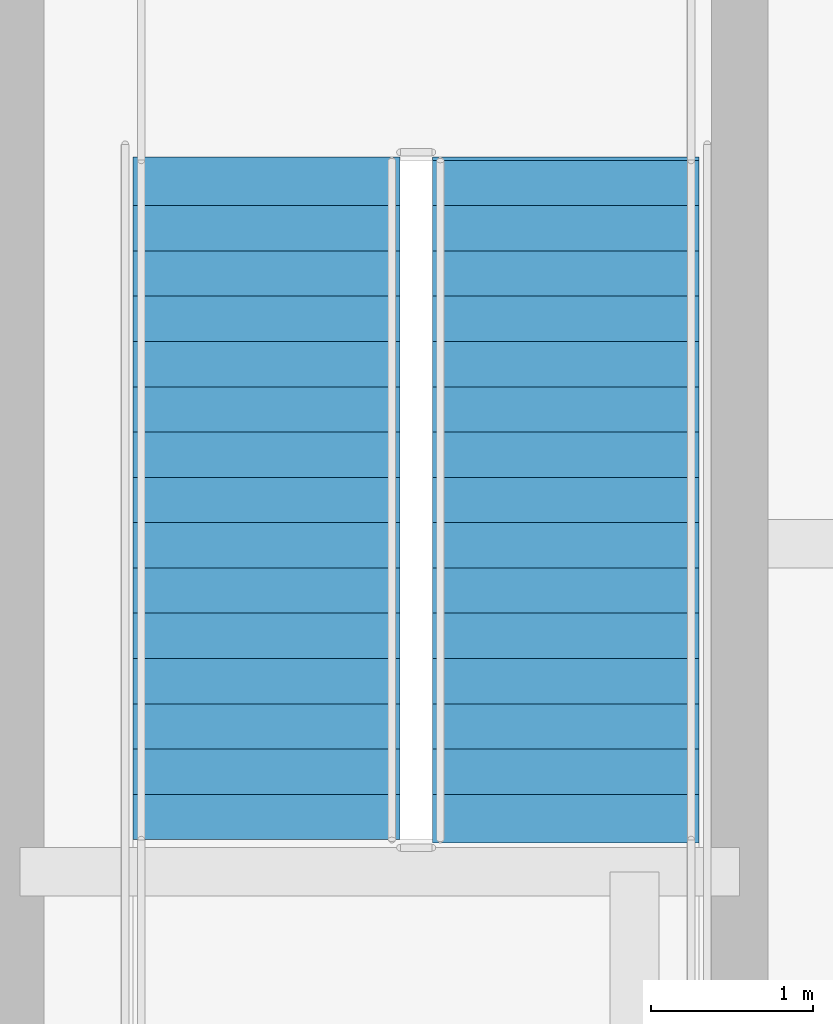
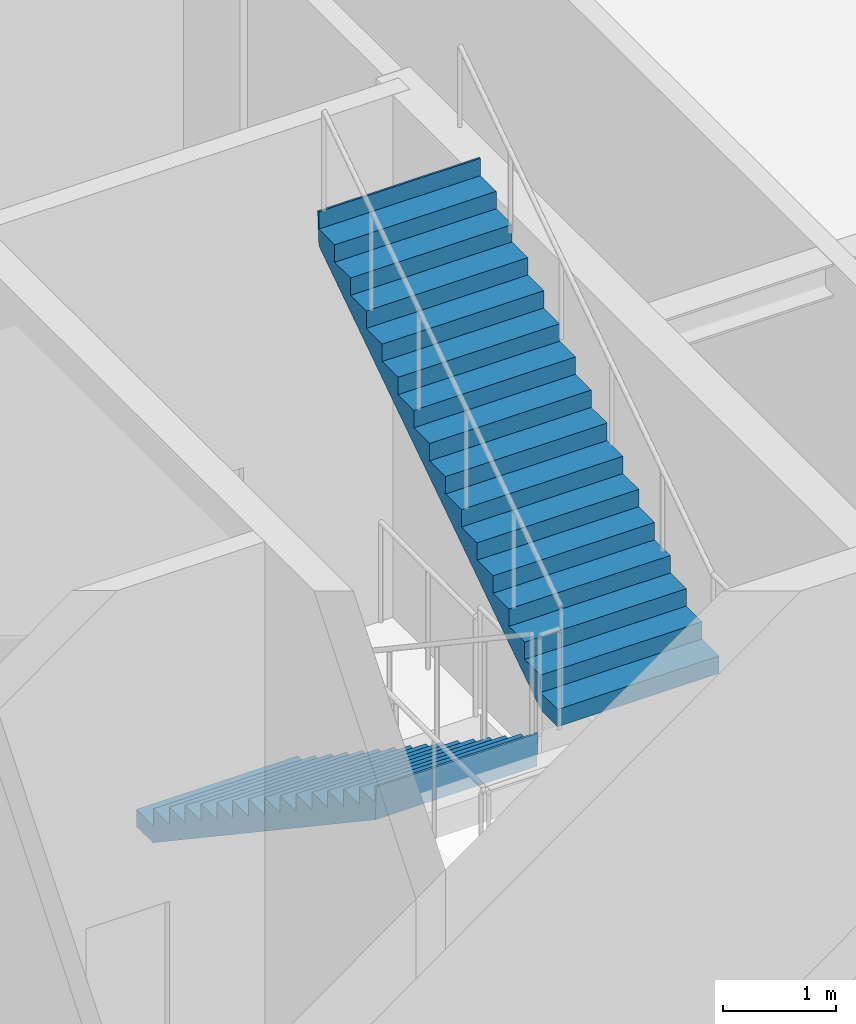
# One storey, part 5 of 10: 2 stair flights, 1 element without a shape of its own.
"""IFC4 building model written with IfcOpenShell, lengths in metres."""

from ifc_helpers import new_model, si_unit, direction, frame, origin, place, context, subcontext, project, spatial, polygons, material, type_object, element, aggregate, save


model = new_model("IFC4")

# Units and contexts
model_context = context("Model", 3, precision=1e-05, world=origin(), true_north=direction((0.0, 1.0)))
body_context = subcontext(model_context, "Body", "Model", "MODEL_VIEW")
ifc_project = project(units=[si_unit("LENGTHUNIT", "METRE"), si_unit("AREAUNIT", "SQUARE_METRE"), si_unit("VOLUMEUNIT", "CUBIC_METRE"), si_unit("PLANEANGLEUNIT", "RADIAN"), si_unit("MASSUNIT", "GRAM", prefix="KILO")], contexts=[model_context])

# Site, building, storey
site_placement = place(None, origin())
site = spatial("IfcSite", under=ifc_project, at=site_placement, CompositionType="ELEMENT")
building_placement = place(site_placement, origin())
building = spatial("IfcBuilding", under=site, at=building_placement, Name="Serunith Strait Residences", CompositionType="ELEMENT")
storey_placement = place(building_placement, frame((0.0, 0.0, 359.75)))
storey = spatial("IfcBuildingStorey", under=building, at=storey_placement, Name="L88", CompositionType="ELEMENT", Elevation=359.75)

# Stair, stair flights
ifc_material = material(Name="Concrete C50/60", Category="concrete")
stair_type = type_object("IfcStairType", Name="STR-CORE-2", PredefinedType="HALF_TURN_STAIR", material=ifc_material)
stair_placement = place(storey_placement, origin())
stair = element("IfcStair", 1, at=stair_placement, inside=storey, type_object=stair_type, Name="L88 Protected Escape Stair ST-2", PredefinedType="HALF_TURN_STAIR")
stair_flight_type = type_object("IfcStairFlightType", Name="FLT-CORE-2", PredefinedType="STRAIGHT", material=ifc_material)
stair_flight_1_placement = place(storey_placement, frame((38.47509765625, 23.3701171875, 0.0), z_axis=(0.0, 0.0, 1.0), x_axis=(0.0, -1.0, 0.0)))
stair_flight_1 = element("IfcStairFlight", 2, at=stair_flight_1_placement, type_object=stair_flight_type, Name="ST-2 flight 1", NumberOfRisers=16, NumberOfTreads=15, PredefinedType="STRAIGHT", RiserHeight=0.1875, TreadLength=0.28, context=body_context, shape_type="Tessellation", body=[
    polygons([(-0.02001953125, -0.824951171875, 0.0), (-0.02001953125, -0.824951171875, 0.1875), (0.280029296875, -0.824951171875, 0.1875), (0.280029296875, -0.824951171875, 0.375), (0.56005859375, -0.824951171875, 0.375), (0.56005859375, -0.824951171875, 0.5625), (0.840087890625, -0.824951171875, 0.5625), (0.840087890625, -0.824951171875, 0.75), (1.1201171875, -0.824951171875, 0.75), (1.1201171875, -0.824951171875, 0.9375), (1.39990234375, -0.824951171875, 0.9375), (1.39990234375, -0.824951171875, 1.125), (1.679931640625, -0.824951171875, 1.125), (1.679931640625, -0.824951171875, 1.3125), (1.9599609375, -0.824951171875, 1.3125), (1.9599609375, -0.824951171875, 1.5), (2.239990234375, -0.824951171875, 1.5), (2.239990234375, -0.824951171875, 1.6875), (2.52001953125, -0.824951171875, 1.6875), (2.52001953125, -0.824951171875, 1.875), (2.800048828125, -0.824951171875, 1.875), (2.800048828125, -0.824951171875, 2.0625), (3.080078125, -0.824951171875, 2.0625), (3.080078125, -0.824951171875, 2.25), (3.360107421875, -0.824951171875, 2.25), (3.360107421875, -0.824951171875, 2.4375), (3.639892578125, -0.824951171875, 2.4375), (3.639892578125, -0.824951171875, 2.625), (3.919921875, -0.824951171875, 2.625), (3.919921875, -0.824951171875, 2.8125), (4.199951171875, -0.824951171875, 2.8125), (4.199951171875, -0.824951171875, 3.0), (4.219970703125, -0.824951171875, 3.0), (4.219970703125, -0.824951171875, 2.93994140625), (4.199951171875, -0.824951171875, 2.632080078125), (0.26953125, -0.824951171875, 0.0), (-0.02001953125, -0.41259765625, 0.0), (-0.02001953125, -0.41259765625, 0.1875), (0.280029296875, -0.41259765625, 0.1875), (0.280029296875, -0.41259765625, 0.375), (0.56005859375, -0.41259765625, 0.375), (0.56005859375, -0.41259765625, 0.5625), (0.840087890625, -0.41259765625, 0.5625), (0.840087890625, -0.41259765625, 0.75), (1.1201171875, -0.41259765625, 0.75), (1.1201171875, -0.41259765625, 0.9375), (1.39990234375, -0.41259765625, 0.9375), (1.39990234375, -0.41259765625, 1.125), (1.679931640625, -0.41259765625, 1.125), (1.679931640625, -0.41259765625, 1.3125), (1.9599609375, -0.41259765625, 1.3125), (1.9599609375, -0.41259765625, 1.5), (2.239990234375, -0.41259765625, 1.5), (2.239990234375, -0.41259765625, 1.6875), (2.52001953125, -0.41259765625, 1.6875), (2.52001953125, -0.41259765625, 1.875), (2.800048828125, -0.41259765625, 1.875), (2.800048828125, -0.41259765625, 2.0625), (3.080078125, -0.41259765625, 2.0625), (3.080078125, -0.41259765625, 2.25), (3.360107421875, -0.41259765625, 2.25), (3.360107421875, -0.41259765625, 2.4375), (3.639892578125, -0.41259765625, 2.4375), (3.639892578125, -0.41259765625, 2.625), (3.919921875, -0.41259765625, 2.625), (3.919921875, -0.41259765625, 2.8125), (4.199951171875, -0.41259765625, 2.8125), (4.199951171875, -0.41259765625, 3.0), (4.219970703125, -0.41259765625, 3.0), (4.219970703125, -0.41259765625, 2.93994140625), (4.199951171875, -0.41259765625, 2.632080078125), (0.26953125, -0.41259765625, 0.0), (-0.02001953125, 0.0, 0.0), (-0.02001953125, 0.0, 0.1875), (0.280029296875, 0.0, 0.1875), (0.280029296875, 0.0, 0.375), (0.56005859375, 0.0, 0.375), (0.56005859375, 0.0, 0.5625), (0.840087890625, 0.0, 0.5625), (0.840087890625, 0.0, 0.75), (1.1201171875, 0.0, 0.75), (1.1201171875, 0.0, 0.9375), (1.39990234375, 0.0, 0.9375), (1.39990234375, 0.0, 1.125), (1.679931640625, 0.0, 1.125), (1.679931640625, 0.0, 1.3125), (1.9599609375, 0.0, 1.3125), (1.9599609375, 0.0, 1.5), (2.239990234375, 0.0, 1.5), (2.239990234375, 0.0, 1.6875), (2.52001953125, 0.0, 1.6875), (2.52001953125, 0.0, 1.875), (2.800048828125, 0.0, 1.875), (2.800048828125, 0.0, 2.0625), (3.080078125, 0.0, 2.0625), (3.080078125, 0.0, 2.25), (3.360107421875, 0.0, 2.25), (3.360107421875, 0.0, 2.4375), (3.639892578125, 0.0, 2.4375), (3.639892578125, 0.0, 2.625), (3.919921875, 0.0, 2.625), (3.919921875, 0.0, 2.8125), (4.199951171875, 0.0, 2.8125), (4.199951171875, 0.0, 3.0), (4.219970703125, 0.0, 3.0), (4.219970703125, 0.0, 2.93994140625), (4.199951171875, 0.0, 2.632080078125), (0.26953125, 0.0, 0.0), (-0.02001953125, 0.41259765625, 0.0), (-0.02001953125, 0.41259765625, 0.1875), (0.280029296875, 0.41259765625, 0.1875), (0.280029296875, 0.41259765625, 0.375), (0.56005859375, 0.41259765625, 0.375), (0.56005859375, 0.41259765625, 0.5625), (0.840087890625, 0.41259765625, 0.5625), (0.840087890625, 0.41259765625, 0.75), (1.1201171875, 0.41259765625, 0.75), (1.1201171875, 0.41259765625, 0.9375), (1.39990234375, 0.41259765625, 0.9375), (1.39990234375, 0.41259765625, 1.125), (1.679931640625, 0.41259765625, 1.125), (1.679931640625, 0.41259765625, 1.3125), (1.9599609375, 0.41259765625, 1.3125), (1.9599609375, 0.41259765625, 1.5), (2.239990234375, 0.41259765625, 1.5), (2.239990234375, 0.41259765625, 1.6875), (2.52001953125, 0.41259765625, 1.6875), (2.52001953125, 0.41259765625, 1.875), (2.800048828125, 0.41259765625, 1.875), (2.800048828125, 0.41259765625, 2.0625), (3.080078125, 0.41259765625, 2.0625), (3.080078125, 0.41259765625, 2.25), (3.360107421875, 0.41259765625, 2.25), (3.360107421875, 0.41259765625, 2.4375), (3.639892578125, 0.41259765625, 2.4375), (3.639892578125, 0.41259765625, 2.625), (3.919921875, 0.41259765625, 2.625), (3.919921875, 0.41259765625, 2.8125), (4.199951171875, 0.41259765625, 2.8125), (4.199951171875, 0.41259765625, 3.0), (4.219970703125, 0.41259765625, 3.0), (4.219970703125, 0.41259765625, 2.93994140625), (4.199951171875, 0.41259765625, 2.632080078125), (0.26953125, 0.41259765625, 0.0), (-0.02001953125, 0.824951171875, 0.0), (-0.02001953125, 0.824951171875, 0.1875), (0.280029296875, 0.824951171875, 0.1875), (0.280029296875, 0.824951171875, 0.375), (0.56005859375, 0.824951171875, 0.375), (0.56005859375, 0.824951171875, 0.5625), (0.840087890625, 0.824951171875, 0.5625), (0.840087890625, 0.824951171875, 0.75), (1.1201171875, 0.824951171875, 0.75), (1.1201171875, 0.824951171875, 0.9375), (1.39990234375, 0.824951171875, 0.9375), (1.39990234375, 0.824951171875, 1.125), (1.679931640625, 0.824951171875, 1.125), (1.679931640625, 0.824951171875, 1.3125), (1.9599609375, 0.824951171875, 1.3125), (1.9599609375, 0.824951171875, 1.5), (2.239990234375, 0.824951171875, 1.5), (2.239990234375, 0.824951171875, 1.6875), (2.52001953125, 0.824951171875, 1.6875), (2.52001953125, 0.824951171875, 1.875), (2.800048828125, 0.824951171875, 1.875), (2.800048828125, 0.824951171875, 2.0625), (3.080078125, 0.824951171875, 2.0625), (3.080078125, 0.824951171875, 2.25), (3.360107421875, 0.824951171875, 2.25), (3.360107421875, 0.824951171875, 2.4375), (3.639892578125, 0.824951171875, 2.4375), (3.639892578125, 0.824951171875, 2.625), (3.919921875, 0.824951171875, 2.625), (3.919921875, 0.824951171875, 2.8125), (4.199951171875, 0.824951171875, 2.8125), (4.199951171875, 0.824951171875, 3.0), (4.219970703125, 0.824951171875, 3.0), (4.219970703125, 0.824951171875, 2.93994140625), (4.199951171875, 0.824951171875, 2.632080078125), (0.26953125, 0.824951171875, 0.0)], [[[1, 2, 38, 37]], [[2, 3, 39, 38]], [[3, 4, 40, 39]], [[4, 5, 41, 40]], [[5, 6, 42, 41]], [[6, 7, 43, 42]], [[7, 8, 44, 43]], [[8, 9, 45, 44]], [[9, 10, 46, 45]], [[10, 11, 47, 46]], [[11, 12, 48, 47]], [[12, 13, 49, 48]], [[13, 14, 50, 49]], [[14, 15, 51, 50]], [[15, 16, 52, 51]], [[16, 17, 53, 52]], [[17, 18, 54, 53]], [[18, 19, 55, 54]], [[19, 20, 56, 55]], [[20, 21, 57, 56]], [[21, 22, 58, 57]], [[22, 23, 59, 58]], [[23, 24, 60, 59]], [[24, 25, 61, 60]], [[25, 26, 62, 61]], [[26, 27, 63, 62]], [[27, 28, 64, 63]], [[28, 29, 65, 64]], [[29, 30, 66, 65]], [[30, 31, 67, 66]], [[31, 32, 68, 67]], [[32, 33, 69, 68]], [[33, 34, 70, 69]], [[34, 35, 71, 70]], [[35, 36, 72, 71]], [[36, 1, 37, 72]], [[37, 38, 74, 73]], [[38, 39, 75, 74]], [[39, 40, 76, 75]], [[40, 41, 77, 76]], [[41, 42, 78, 77]], [[42, 43, 79, 78]], [[43, 44, 80, 79]], [[44, 45, 81, 80]], [[45, 46, 82, 81]], [[46, 47, 83, 82]], [[47, 48, 84, 83]], [[48, 49, 85, 84]], [[49, 50, 86, 85]], [[50, 51, 87, 86]], [[51, 52, 88, 87]], [[52, 53, 89, 88]], [[53, 54, 90, 89]], [[54, 55, 91, 90]], [[55, 56, 92, 91]], [[56, 57, 93, 92]], [[57, 58, 94, 93]], [[58, 59, 95, 94]], [[59, 60, 96, 95]], [[60, 61, 97, 96]], [[61, 62, 98, 97]], [[62, 63, 99, 98]], [[63, 64, 100, 99]], [[64, 65, 101, 100]], [[65, 66, 102, 101]], [[66, 67, 103, 102]], [[67, 68, 104, 103]], [[68, 69, 105, 104]], [[69, 70, 106, 105]], [[70, 71, 107, 106]], [[71, 72, 108, 107]], [[72, 37, 73, 108]], [[73, 74, 110, 109]], [[74, 75, 111, 110]], [[75, 76, 112, 111]], [[76, 77, 113, 112]], [[77, 78, 114, 113]], [[78, 79, 115, 114]], [[79, 80, 116, 115]], [[80, 81, 117, 116]], [[81, 82, 118, 117]], [[82, 83, 119, 118]], [[83, 84, 120, 119]], [[84, 85, 121, 120]], [[85, 86, 122, 121]], [[86, 87, 123, 122]], [[87, 88, 124, 123]], [[88, 89, 125, 124]], [[89, 90, 126, 125]], [[90, 91, 127, 126]], [[91, 92, 128, 127]], [[92, 93, 129, 128]], [[93, 94, 130, 129]], [[94, 95, 131, 130]], [[95, 96, 132, 131]], [[96, 97, 133, 132]], [[97, 98, 134, 133]], [[98, 99, 135, 134]], [[99, 100, 136, 135]], [[100, 101, 137, 136]], [[101, 102, 138, 137]], [[102, 103, 139, 138]], [[103, 104, 140, 139]], [[104, 105, 141, 140]], [[105, 106, 142, 141]], [[106, 107, 143, 142]], [[107, 108, 144, 143]], [[108, 73, 109, 144]], [[109, 110, 146, 145]], [[110, 111, 147, 146]], [[111, 112, 148, 147]], [[112, 113, 149, 148]], [[113, 114, 150, 149]], [[114, 115, 151, 150]], [[115, 116, 152, 151]], [[116, 117, 153, 152]], [[117, 118, 154, 153]], [[118, 119, 155, 154]], [[119, 120, 156, 155]], [[120, 121, 157, 156]], [[121, 122, 158, 157]], [[122, 123, 159, 158]], [[123, 124, 160, 159]], [[124, 125, 161, 160]], [[125, 126, 162, 161]], [[126, 127, 163, 162]], [[127, 128, 164, 163]], [[128, 129, 165, 164]], [[129, 130, 166, 165]], [[130, 131, 167, 166]], [[131, 132, 168, 167]], [[132, 133, 169, 168]], [[133, 134, 170, 169]], [[134, 135, 171, 170]], [[135, 136, 172, 171]], [[136, 137, 173, 172]], [[137, 138, 174, 173]], [[138, 139, 175, 174]], [[139, 140, 176, 175]], [[140, 141, 177, 176]], [[141, 142, 178, 177]], [[142, 143, 179, 178]], [[143, 144, 180, 179]], [[144, 109, 145, 180]], [[36, 35, 34, 33, 32, 31, 30, 29, 28, 27, 26, 25, 24, 23, 22, 21, 20, 19, 18, 17, 16, 15, 14, 13, 12, 11, 10, 9, 8, 7, 6, 5, 4, 3, 2, 1]], [[145, 146, 147, 148, 149, 150, 151, 152, 153, 154, 155, 156, 157, 158, 159, 160, 161, 162, 163, 164, 165, 166, 167, 168, 169, 170, 171, 172, 173, 174, 175, 176, 177, 178, 179, 180]]], closed=True),
])
stair_flight_2_placement = place(storey_placement, frame((40.324951171875, 19.169921875, 3.0), z_axis=(0.0, 0.0, 1.0), x_axis=(0.0, 1.0, 0.0)))
stair_flight_2 = element("IfcStairFlight", 3, at=stair_flight_2_placement, type_object=stair_flight_type, Name="ST-2 flight 2", NumberOfRisers=16, NumberOfTreads=15, PredefinedType="STRAIGHT", RiserHeight=0.1875, TreadLength=0.28, context=body_context, shape_type="Tessellation", body=[
    polygons([(-0.02001953125, -0.824951171875, 0.0), (-0.02001953125, -0.824951171875, 0.1875), (0.280029296875, -0.824951171875, 0.1875), (0.280029296875, -0.824951171875, 0.375), (0.56005859375, -0.824951171875, 0.375), (0.56005859375, -0.824951171875, 0.5625), (0.840087890625, -0.824951171875, 0.5625), (0.840087890625, -0.824951171875, 0.75), (1.1201171875, -0.824951171875, 0.75), (1.1201171875, -0.824951171875, 0.9375), (1.39990234375, -0.824951171875, 0.9375), (1.39990234375, -0.824951171875, 1.125), (1.679931640625, -0.824951171875, 1.125), (1.679931640625, -0.824951171875, 1.3125), (1.9599609375, -0.824951171875, 1.3125), (1.9599609375, -0.824951171875, 1.5), (2.239990234375, -0.824951171875, 1.5), (2.239990234375, -0.824951171875, 1.6875), (2.52001953125, -0.824951171875, 1.6875), (2.52001953125, -0.824951171875, 1.875), (2.800048828125, -0.824951171875, 1.875), (2.800048828125, -0.824951171875, 2.0625), (3.080078125, -0.824951171875, 2.0625), (3.080078125, -0.824951171875, 2.25), (3.360107421875, -0.824951171875, 2.25), (3.360107421875, -0.824951171875, 2.4375), (3.639892578125, -0.824951171875, 2.4375), (3.639892578125, -0.824951171875, 2.625), (3.919921875, -0.824951171875, 2.625), (3.919921875, -0.824951171875, 2.8125), (4.199951171875, -0.824951171875, 2.8125), (4.199951171875, -0.824951171875, 3.0), (4.219970703125, -0.824951171875, 3.0), (4.219970703125, -0.824951171875, 2.93994140625), (4.199951171875, -0.824951171875, 2.632080078125), (0.26953125, -0.824951171875, 0.0), (-0.02001953125, -0.41259765625, 0.0), (-0.02001953125, -0.41259765625, 0.1875), (0.280029296875, -0.41259765625, 0.1875), (0.280029296875, -0.41259765625, 0.375), (0.56005859375, -0.41259765625, 0.375), (0.56005859375, -0.41259765625, 0.5625), (0.840087890625, -0.41259765625, 0.5625), (0.840087890625, -0.41259765625, 0.75), (1.1201171875, -0.41259765625, 0.75), (1.1201171875, -0.41259765625, 0.9375), (1.39990234375, -0.41259765625, 0.9375), (1.39990234375, -0.41259765625, 1.125), (1.679931640625, -0.41259765625, 1.125), (1.679931640625, -0.41259765625, 1.3125), (1.9599609375, -0.41259765625, 1.3125), (1.9599609375, -0.41259765625, 1.5), (2.239990234375, -0.41259765625, 1.5), (2.239990234375, -0.41259765625, 1.6875), (2.52001953125, -0.41259765625, 1.6875), (2.52001953125, -0.41259765625, 1.875), (2.800048828125, -0.41259765625, 1.875), (2.800048828125, -0.41259765625, 2.0625), (3.080078125, -0.41259765625, 2.0625), (3.080078125, -0.41259765625, 2.25), (3.360107421875, -0.41259765625, 2.25), (3.360107421875, -0.41259765625, 2.4375), (3.639892578125, -0.41259765625, 2.4375), (3.639892578125, -0.41259765625, 2.625), (3.919921875, -0.41259765625, 2.625), (3.919921875, -0.41259765625, 2.8125), (4.199951171875, -0.41259765625, 2.8125), (4.199951171875, -0.41259765625, 3.0), (4.219970703125, -0.41259765625, 3.0), (4.219970703125, -0.41259765625, 2.93994140625), (4.199951171875, -0.41259765625, 2.632080078125), (0.26953125, -0.41259765625, 0.0), (-0.02001953125, 0.0, 0.0), (-0.02001953125, 0.0, 0.1875), (0.280029296875, 0.0, 0.1875), (0.280029296875, 0.0, 0.375), (0.56005859375, 0.0, 0.375), (0.56005859375, 0.0, 0.5625), (0.840087890625, 0.0, 0.5625), (0.840087890625, 0.0, 0.75), (1.1201171875, 0.0, 0.75), (1.1201171875, 0.0, 0.9375), (1.39990234375, 0.0, 0.9375), (1.39990234375, 0.0, 1.125), (1.679931640625, 0.0, 1.125), (1.679931640625, 0.0, 1.3125), (1.9599609375, 0.0, 1.3125), (1.9599609375, 0.0, 1.5), (2.239990234375, 0.0, 1.5), (2.239990234375, 0.0, 1.6875), (2.52001953125, 0.0, 1.6875), (2.52001953125, 0.0, 1.875), (2.800048828125, 0.0, 1.875), (2.800048828125, 0.0, 2.0625), (3.080078125, 0.0, 2.0625), (3.080078125, 0.0, 2.25), (3.360107421875, 0.0, 2.25), (3.360107421875, 0.0, 2.4375), (3.639892578125, 0.0, 2.4375), (3.639892578125, 0.0, 2.625), (3.919921875, 0.0, 2.625), (3.919921875, 0.0, 2.8125), (4.199951171875, 0.0, 2.8125), (4.199951171875, 0.0, 3.0), (4.219970703125, 0.0, 3.0), (4.219970703125, 0.0, 2.93994140625), (4.199951171875, 0.0, 2.632080078125), (0.26953125, 0.0, 0.0), (-0.02001953125, 0.41259765625, 0.0), (-0.02001953125, 0.41259765625, 0.1875), (0.280029296875, 0.41259765625, 0.1875), (0.280029296875, 0.41259765625, 0.375), (0.56005859375, 0.41259765625, 0.375), (0.56005859375, 0.41259765625, 0.5625), (0.840087890625, 0.41259765625, 0.5625), (0.840087890625, 0.41259765625, 0.75), (1.1201171875, 0.41259765625, 0.75), (1.1201171875, 0.41259765625, 0.9375), (1.39990234375, 0.41259765625, 0.9375), (1.39990234375, 0.41259765625, 1.125), (1.679931640625, 0.41259765625, 1.125), (1.679931640625, 0.41259765625, 1.3125), (1.9599609375, 0.41259765625, 1.3125), (1.9599609375, 0.41259765625, 1.5), (2.239990234375, 0.41259765625, 1.5), (2.239990234375, 0.41259765625, 1.6875), (2.52001953125, 0.41259765625, 1.6875), (2.52001953125, 0.41259765625, 1.875), (2.800048828125, 0.41259765625, 1.875), (2.800048828125, 0.41259765625, 2.0625), (3.080078125, 0.41259765625, 2.0625), (3.080078125, 0.41259765625, 2.25), (3.360107421875, 0.41259765625, 2.25), (3.360107421875, 0.41259765625, 2.4375), (3.639892578125, 0.41259765625, 2.4375), (3.639892578125, 0.41259765625, 2.625), (3.919921875, 0.41259765625, 2.625), (3.919921875, 0.41259765625, 2.8125), (4.199951171875, 0.41259765625, 2.8125), (4.199951171875, 0.41259765625, 3.0), (4.219970703125, 0.41259765625, 3.0), (4.219970703125, 0.41259765625, 2.93994140625), (4.199951171875, 0.41259765625, 2.632080078125), (0.26953125, 0.41259765625, 0.0), (-0.02001953125, 0.824951171875, 0.0), (-0.02001953125, 0.824951171875, 0.1875), (0.280029296875, 0.824951171875, 0.1875), (0.280029296875, 0.824951171875, 0.375), (0.56005859375, 0.824951171875, 0.375), (0.56005859375, 0.824951171875, 0.5625), (0.840087890625, 0.824951171875, 0.5625), (0.840087890625, 0.824951171875, 0.75), (1.1201171875, 0.824951171875, 0.75), (1.1201171875, 0.824951171875, 0.9375), (1.39990234375, 0.824951171875, 0.9375), (1.39990234375, 0.824951171875, 1.125), (1.679931640625, 0.824951171875, 1.125), (1.679931640625, 0.824951171875, 1.3125), (1.9599609375, 0.824951171875, 1.3125), (1.9599609375, 0.824951171875, 1.5), (2.239990234375, 0.824951171875, 1.5), (2.239990234375, 0.824951171875, 1.6875), (2.52001953125, 0.824951171875, 1.6875), (2.52001953125, 0.824951171875, 1.875), (2.800048828125, 0.824951171875, 1.875), (2.800048828125, 0.824951171875, 2.0625), (3.080078125, 0.824951171875, 2.0625), (3.080078125, 0.824951171875, 2.25), (3.360107421875, 0.824951171875, 2.25), (3.360107421875, 0.824951171875, 2.4375), (3.639892578125, 0.824951171875, 2.4375), (3.639892578125, 0.824951171875, 2.625), (3.919921875, 0.824951171875, 2.625), (3.919921875, 0.824951171875, 2.8125), (4.199951171875, 0.824951171875, 2.8125), (4.199951171875, 0.824951171875, 3.0), (4.219970703125, 0.824951171875, 3.0), (4.219970703125, 0.824951171875, 2.93994140625), (4.199951171875, 0.824951171875, 2.632080078125), (0.26953125, 0.824951171875, 0.0)], [[[1, 2, 38, 37]], [[2, 3, 39, 38]], [[3, 4, 40, 39]], [[4, 5, 41, 40]], [[5, 6, 42, 41]], [[6, 7, 43, 42]], [[7, 8, 44, 43]], [[8, 9, 45, 44]], [[9, 10, 46, 45]], [[10, 11, 47, 46]], [[11, 12, 48, 47]], [[12, 13, 49, 48]], [[13, 14, 50, 49]], [[14, 15, 51, 50]], [[15, 16, 52, 51]], [[16, 17, 53, 52]], [[17, 18, 54, 53]], [[18, 19, 55, 54]], [[19, 20, 56, 55]], [[20, 21, 57, 56]], [[21, 22, 58, 57]], [[22, 23, 59, 58]], [[23, 24, 60, 59]], [[24, 25, 61, 60]], [[25, 26, 62, 61]], [[26, 27, 63, 62]], [[27, 28, 64, 63]], [[28, 29, 65, 64]], [[29, 30, 66, 65]], [[30, 31, 67, 66]], [[31, 32, 68, 67]], [[32, 33, 69, 68]], [[33, 34, 70, 69]], [[34, 35, 71, 70]], [[35, 36, 72, 71]], [[36, 1, 37, 72]], [[37, 38, 74, 73]], [[38, 39, 75, 74]], [[39, 40, 76, 75]], [[40, 41, 77, 76]], [[41, 42, 78, 77]], [[42, 43, 79, 78]], [[43, 44, 80, 79]], [[44, 45, 81, 80]], [[45, 46, 82, 81]], [[46, 47, 83, 82]], [[47, 48, 84, 83]], [[48, 49, 85, 84]], [[49, 50, 86, 85]], [[50, 51, 87, 86]], [[51, 52, 88, 87]], [[52, 53, 89, 88]], [[53, 54, 90, 89]], [[54, 55, 91, 90]], [[55, 56, 92, 91]], [[56, 57, 93, 92]], [[57, 58, 94, 93]], [[58, 59, 95, 94]], [[59, 60, 96, 95]], [[60, 61, 97, 96]], [[61, 62, 98, 97]], [[62, 63, 99, 98]], [[63, 64, 100, 99]], [[64, 65, 101, 100]], [[65, 66, 102, 101]], [[66, 67, 103, 102]], [[67, 68, 104, 103]], [[68, 69, 105, 104]], [[69, 70, 106, 105]], [[70, 71, 107, 106]], [[71, 72, 108, 107]], [[72, 37, 73, 108]], [[73, 74, 110, 109]], [[74, 75, 111, 110]], [[75, 76, 112, 111]], [[76, 77, 113, 112]], [[77, 78, 114, 113]], [[78, 79, 115, 114]], [[79, 80, 116, 115]], [[80, 81, 117, 116]], [[81, 82, 118, 117]], [[82, 83, 119, 118]], [[83, 84, 120, 119]], [[84, 85, 121, 120]], [[85, 86, 122, 121]], [[86, 87, 123, 122]], [[87, 88, 124, 123]], [[88, 89, 125, 124]], [[89, 90, 126, 125]], [[90, 91, 127, 126]], [[91, 92, 128, 127]], [[92, 93, 129, 128]], [[93, 94, 130, 129]], [[94, 95, 131, 130]], [[95, 96, 132, 131]], [[96, 97, 133, 132]], [[97, 98, 134, 133]], [[98, 99, 135, 134]], [[99, 100, 136, 135]], [[100, 101, 137, 136]], [[101, 102, 138, 137]], [[102, 103, 139, 138]], [[103, 104, 140, 139]], [[104, 105, 141, 140]], [[105, 106, 142, 141]], [[106, 107, 143, 142]], [[107, 108, 144, 143]], [[108, 73, 109, 144]], [[109, 110, 146, 145]], [[110, 111, 147, 146]], [[111, 112, 148, 147]], [[112, 113, 149, 148]], [[113, 114, 150, 149]], [[114, 115, 151, 150]], [[115, 116, 152, 151]], [[116, 117, 153, 152]], [[117, 118, 154, 153]], [[118, 119, 155, 154]], [[119, 120, 156, 155]], [[120, 121, 157, 156]], [[121, 122, 158, 157]], [[122, 123, 159, 158]], [[123, 124, 160, 159]], [[124, 125, 161, 160]], [[125, 126, 162, 161]], [[126, 127, 163, 162]], [[127, 128, 164, 163]], [[128, 129, 165, 164]], [[129, 130, 166, 165]], [[130, 131, 167, 166]], [[131, 132, 168, 167]], [[132, 133, 169, 168]], [[133, 134, 170, 169]], [[134, 135, 171, 170]], [[135, 136, 172, 171]], [[136, 137, 173, 172]], [[137, 138, 174, 173]], [[138, 139, 175, 174]], [[139, 140, 176, 175]], [[140, 141, 177, 176]], [[141, 142, 178, 177]], [[142, 143, 179, 178]], [[143, 144, 180, 179]], [[144, 109, 145, 180]], [[36, 35, 34, 33, 32, 31, 30, 29, 28, 27, 26, 25, 24, 23, 22, 21, 20, 19, 18, 17, 16, 15, 14, 13, 12, 11, 10, 9, 8, 7, 6, 5, 4, 3, 2, 1]], [[145, 146, 147, 148, 149, 150, 151, 152, 153, 154, 155, 156, 157, 158, 159, 160, 161, 162, 163, 164, 165, 166, 167, 168, 169, 170, 171, 172, 173, 174, 175, 176, 177, 178, 179, 180]]], closed=True),
])
aggregate(stair, [stair_flight_1, stair_flight_2])

save(model, "model.ifc")
